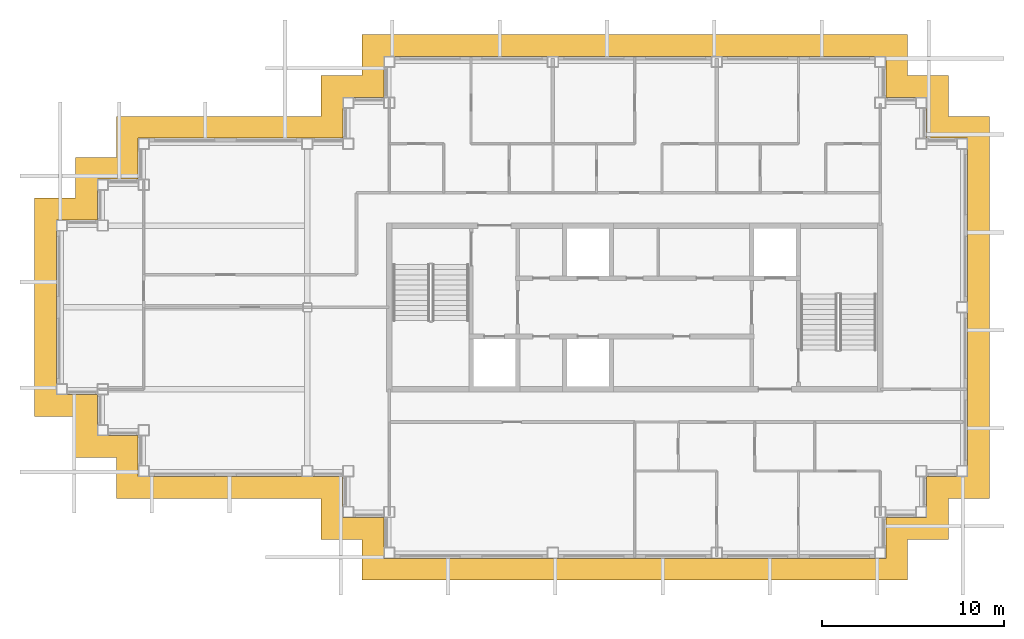
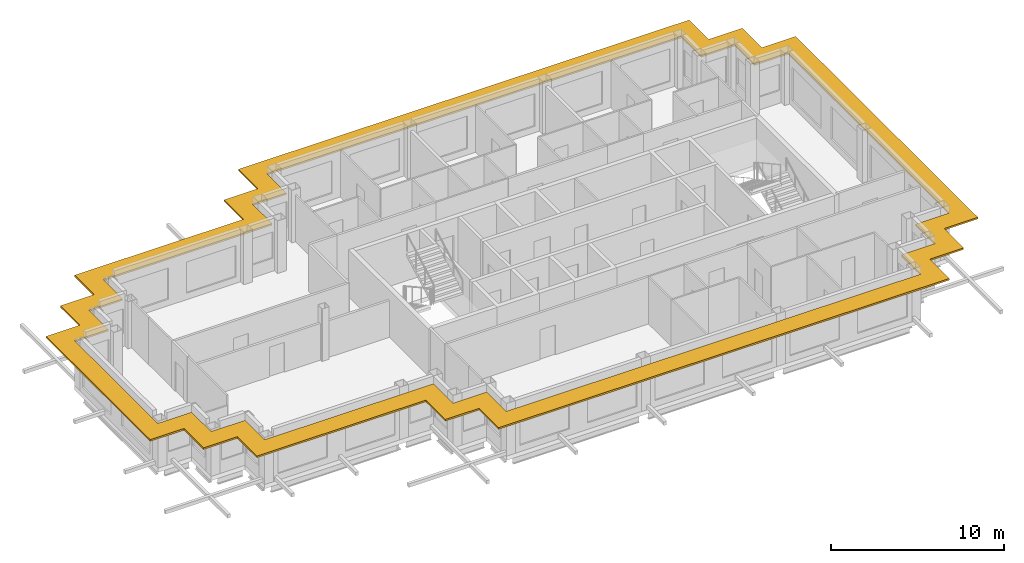
# One storey, part 10 of 11: 1 shading device.
"""IFC4 building model written with IfcOpenShell, lengths in metres."""

import ifcopenshell
import ifcopenshell.guid

model = None  # the IFC model being written
_history = None  # IfcOwnerHistory: only IFC2X3 demands one
_inside = {}  # id of a spatial element -> (the spatial element, [elements in it])
_under = {}  # id of a project, library or spatial element -> (it, [spatial elements below it])
_declared = {}  # id of a project -> (the project, [libraries it declares])
_typed = {}  # id of a type object -> (the type object, [elements of that type])
_made_of = {}  # id of a material, layer set ... -> (it, [elements and type objects made of it])


def new_model(schema):
    """Start an empty IFC model of exactly this schema.

    Asked for "IFC4X3", IfcOpenShell would pick the latest addendum, in which some entities
    have other attributes; the version numbers below select the first issue.
    IFC2X3 requires an IfcOwnerHistory on every rooted entity: one is made here for all.
    """
    global model, _history
    if schema == "IFC4X3":
        model = ifcopenshell.file(schema_version=(4, 3, 0, 0))
    else:
        model = ifcopenshell.file(schema=schema)
    _inside.clear()
    _under.clear()
    _declared.clear()
    _typed.clear()
    _made_of.clear()
    _history = None
    if model.schema == "IFC2X3":
        org = make("IfcOrganization", Name="unknown")
        user = make(
            "IfcPersonAndOrganization",
            ThePerson=make("IfcPerson", FamilyName="unknown"),
            TheOrganization=org,
        )
        app = make(
            "IfcApplication",
            ApplicationDeveloper=org,
            Version="unknown",
            ApplicationFullName="unknown",
            ApplicationIdentifier="unknown",
        )
        _history = make(
            "IfcOwnerHistory",
            OwningUser=user,
            OwningApplication=app,
            ChangeAction="ADDED",
            CreationDate=0,
        )
    return model


def make(cls, **values):
    """One entity of the class cls with the attributes given. An attribute that is None is left unset."""
    return model.create_entity(
        cls, **{name: value for name, value in values.items() if value is not None}
    )


def rooted(cls, **values):
    """An entity with a GlobalId (a new one), such as an element, a storey or a relation."""
    return make(cls, GlobalId=ifcopenshell.guid.new(), OwnerHistory=_history, **values)


def si_unit(unit_type, name, prefix=None):
    """IfcSIUnit, for example si_unit("LENGTHUNIT", "METRE", prefix="MILLI")."""
    return make("IfcSIUnit", UnitType=unit_type, Prefix=prefix, Name=name)


def assignment(units):
    """IfcUnitAssignment: the units of a project."""
    return None if units is None else make("IfcUnitAssignment", Units=units)


def point(xyz):
    """IfcCartesianPoint."""
    return None if xyz is None else make("IfcCartesianPoint", Coordinates=xyz)


def direction(xyz):
    """IfcDirection."""
    return None if xyz is None else make("IfcDirection", DirectionRatios=xyz)


def frame(location, z_axis=None, x_axis=None):
    """IfcAxis2Placement3D, a coordinate frame: its origin and axes. An axis left out is left unset."""
    return make(
        "IfcAxis2Placement3D",
        Location=point(location),
        Axis=direction(z_axis),
        RefDirection=direction(x_axis),
    )


def origin():
    """The frame at (0, 0, 0) with its axes left unset."""
    return frame((0.0, 0.0, 0.0))


def place(relative_to, where):
    """IfcLocalPlacement: puts the frame where relative to a parent placement (None: the world)."""
    return make(
        "IfcLocalPlacement", PlacementRelTo=relative_to, RelativePlacement=where
    )


def context(
    kind, dimensions, precision=None, world=None, true_north=None, identifier=None
):
    """IfcGeometricRepresentationContext, for example the 3D "Model" context."""
    return make(
        "IfcGeometricRepresentationContext",
        ContextIdentifier=identifier,
        ContextType=kind,
        CoordinateSpaceDimension=dimensions,
        Precision=precision,
        WorldCoordinateSystem=world,
        TrueNorth=true_north,
    )


def subcontext(parent, identifier, kind, view, scale=None):
    """IfcGeometricRepresentationSubContext, for example "Body" below "Model"."""
    return make(
        "IfcGeometricRepresentationSubContext",
        ContextIdentifier=identifier,
        ContextType=kind,
        ParentContext=parent,
        TargetScale=scale,
        TargetView=view,
    )


def project(units=None, contexts=None):
    """IfcProject with its units and contexts."""
    return rooted(
        "IfcProject",
        Name="project",
        RepresentationContexts=contexts,
        UnitsInContext=assignment(units),
    )


def spatial(cls, under=None, at=None, **own):
    """A site, building, storey or space (cls), placed at a placement, below another one or the project."""
    s = rooted(cls, ObjectPlacement=at, **own)
    if under is not None:
        _under.setdefault(under.id(), (under, []))[1].append(s)
    return s


def polyline(points):
    """IfcPolyline through the points."""
    return make("IfcPolyline", Points=[point(p) for p in points])


def outline(outer, holes=None, kind="AREA"):
    """IfcArbitraryClosedProfileDef: a profile drawn as a closed curve; with holes, ...WithVoids."""
    if holes is None:
        return make("IfcArbitraryClosedProfileDef", ProfileType=kind, OuterCurve=outer)
    return make(
        "IfcArbitraryProfileDefWithVoids",
        ProfileType=kind,
        OuterCurve=outer,
        InnerCurves=holes,
    )


def extrude(swept, where, along, depth):
    """IfcExtrudedAreaSolid: the profile swept, set in the frame where, extruded along a direction by depth."""
    return make(
        "IfcExtrudedAreaSolid",
        SweptArea=swept,
        Position=where,
        ExtrudedDirection=direction(along),
        Depth=depth,
    )


def shape(context_of_items, identifier, shape_type, items):
    """IfcShapeRepresentation: the items that make up one representation, for example the "Body"."""
    return make(
        "IfcShapeRepresentation",
        ContextOfItems=context_of_items,
        RepresentationIdentifier=identifier,
        RepresentationType=shape_type,
        Items=items,
    )


def material(Name=None, Category=None):
    """IfcMaterial."""
    return make("IfcMaterial", Name=Name, Category=Category)


def layer(
    of_material, thickness, ventilated=None, Name=None, Category=None, Priority=None
):
    """IfcMaterialLayer: one layer of a wall or slab, of a material (None: an air gap)."""
    return make(
        "IfcMaterialLayer",
        Material=of_material,
        LayerThickness=thickness,
        IsVentilated=ventilated,
        Name=Name,
        Category=Category,
        Priority=Priority,
    )


def layer_set(layers, Name=None):
    """IfcMaterialLayerSet."""
    return make("IfcMaterialLayerSet", MaterialLayers=layers, LayerSetName=Name)


def made_of(thing, what):
    """Note that an element or type object is made of a material, layer set ...; save() writes the relation."""
    if what is not None:
        _made_of.setdefault(what.id(), (what, []))[1].append(thing)
    return thing


def type_object(cls, material=None, **own):
    """A type object (cls), such as IfcWallType, which elements share."""
    return made_of(rooted(cls, **own), material)


def element(
    cls,
    number,
    at=None,
    inside=None,
    cuts=None,
    type_object=None,
    material=None,
    context=None,
    identifier="Body",
    shape_type=None,
    held_by="IfcProductDefinitionShape",
    body=None,
    shapes=None,
    **own,
):
    """One element of the class cls, such as IfcWall. Its Tag is "e" and its number.

    at: its placement. inside: the storey or other place that contains it. cuts: it is an
    opening in that element (IfcRelVoidsElement). A single representation is given by context,
    identifier, shape_type and body (its items); several are given by shapes. held_by: the class
    of the entity that holds the representations. save() writes the other relations.
    """
    e = rooted(cls, Tag="e%d" % number, ObjectPlacement=at, **own)
    if body is not None:
        shapes = [shape(context, identifier, shape_type, body)]
    if shapes is not None:
        e.Representation = make(held_by, Representations=shapes)
    if inside is not None:
        _inside.setdefault(inside.id(), (inside, []))[1].append(e)
    if cuts is not None:
        rooted(
            "IfcRelVoidsElement", RelatingBuildingElement=cuts, RelatedOpeningElement=e
        )
    if type_object is not None:
        _typed.setdefault(type_object.id(), (type_object, []))[1].append(e)
    return made_of(e, material)


def aggregate(whole, parts):
    """IfcRelAggregates: a whole, such as a stair, and the parts it consists of."""
    return rooted("IfcRelAggregates", RelatingObject=whole, RelatedObjects=parts)


def save(model, path):
    """Write the relations noted so far, then the file.

    IfcRelAggregates (storeys below a building ...), IfcRelContainedInSpatialStructure (elements
    in a storey), IfcRelDefinesByType, IfcRelAssociatesMaterial and IfcRelDeclares: one each for
    every whole, place, type object, material and project.
    """
    for whole, parts in _under.values():
        aggregate(whole, parts)
    for where, things in _inside.values():
        rooted(
            "IfcRelContainedInSpatialStructure",
            RelatedElements=things,
            RelatingStructure=where,
        )
    for kind, things in _typed.values():
        rooted("IfcRelDefinesByType", RelatedObjects=things, RelatingType=kind)
    for what, things in _made_of.values():
        rooted("IfcRelAssociatesMaterial", RelatedObjects=things, RelatingMaterial=what)
    for by, libraries in _declared.values():
        rooted("IfcRelDeclares", RelatingContext=by, RelatedDefinitions=libraries)
    model.write(path)


model = new_model("IFC4")

# Units and contexts
model_context = context("Model", 3, precision=1e-05, world=origin(), true_north=direction((0.0, 1.0)))
body_context = subcontext(model_context, "Body", "Model", "MODEL_VIEW")
ifc_project = project(units=[si_unit("LENGTHUNIT", "METRE"), si_unit("AREAUNIT", "SQUARE_METRE"), si_unit("VOLUMEUNIT", "CUBIC_METRE"), si_unit("PLANEANGLEUNIT", "RADIAN"), si_unit("MASSUNIT", "GRAM", prefix="KILO")], contexts=[model_context])

# Site, building, storey
site_placement = place(None, origin())
site = spatial("IfcSite", under=ifc_project, at=site_placement, CompositionType="ELEMENT")
building_placement = place(site_placement, origin())
building = spatial("IfcBuilding", under=site, at=building_placement, Name="Caravel Reach Hotel and Residences", CompositionType="ELEMENT")
storey_placement = place(building_placement, frame((0.0, 0.0, 274.89990234375)))
storey = spatial("IfcBuildingStorey", under=building, at=storey_placement, Name="L70", CompositionType="ELEMENT", Elevation=274.89990234375)

# Shading device
ifc_material = material(Name="Black powder-coated aluminium", Category="aluminium")
ifc_layer = layer(ifc_material, 0.1201171875)
ifc_layer_set = layer_set([ifc_layer], Name="SS1 Sunshade band 1200")
shading_device_type = type_object("IfcShadingDeviceType", Name="SS1 Sunshade band 1200", PredefinedType="USERDEFINED", material=ifc_layer_set)
shading_device_placement = place(storey_placement, frame((0.0, 0.0, 3.0400390625)))
element("IfcShadingDevice", 1, at=shading_device_placement, inside=storey, type_object=shading_device_type, Name="Sunshade L70 1", ObjectType="SUNSHADE", PredefinedType="USERDEFINED", context=body_context, shape_type="SweptSolid", body=[
    extrude(outline(polyline([(3.0, 16.5), (14.25, 16.5), (14.25, 14.25), (16.5, 14.25), (16.5, 12.0), (46.5, 12.0), (46.5, 14.25), (48.75, 14.25), (48.75, 16.5), (51.0, 16.5), (51.0, 37.5), (48.75, 37.5), (48.75, 39.75), (46.5, 39.75), (46.5, 42.0), (16.5, 42.0), (16.5, 39.75), (14.25, 39.75), (14.25, 37.5), (3.0, 37.5), (3.0, 35.25), (0.75, 35.25), (0.75, 33.0), (-1.5, 33.0), (-1.5, 21.0), (0.75, 21.0), (0.75, 18.75), (3.0, 18.75), (3.0, 16.5)]), holes=[polyline([(15.449951171875, 15.449951171875), (15.449951171875, 17.699951171875), (4.199951171875, 17.699951171875), (4.199951171875, 19.949951171875), (1.949951171875, 19.949951171875), (1.949951171875, 22.199951171875), (-0.300048828125, 22.199951171875), (-0.300048828125, 31.800048828125), (1.949951171875, 31.800048828125), (1.949951171875, 34.050048828125), (4.199951171875, 34.050048828125), (4.199951171875, 36.300048828125), (15.449951171875, 36.300048828125), (15.449951171875, 38.550048828125), (17.699951171875, 38.550048828125), (17.699951171875, 40.800048828125), (45.300048828125, 40.800048828125), (45.300048828125, 38.550048828125), (47.550048828125, 38.550048828125), (47.550048828125, 36.300048828125), (49.800048828125, 36.300048828125), (49.800048828125, 17.699951171875), (47.550048828125, 17.699951171875), (47.550048828125, 15.449951171875), (45.300048828125, 15.449951171875), (45.300048828125, 13.199951171875), (17.699951171875, 13.199951171875), (17.699951171875, 15.449951171875), (15.449951171875, 15.449951171875)])]), origin(), (0.0, 0.0, 1.0), 0.1201171875),
])

save(model, "model.ifc")
